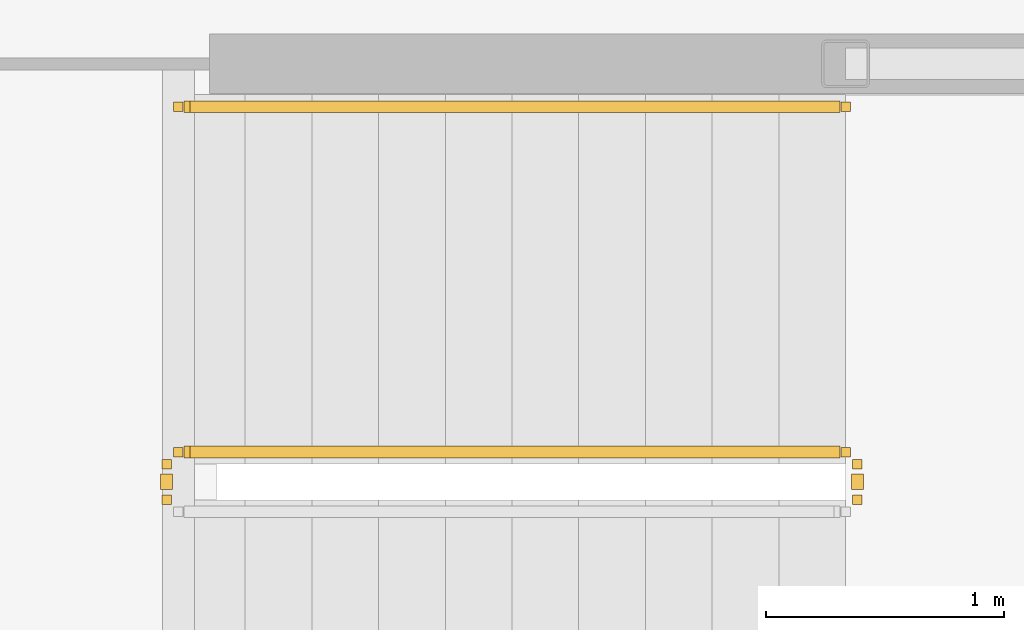
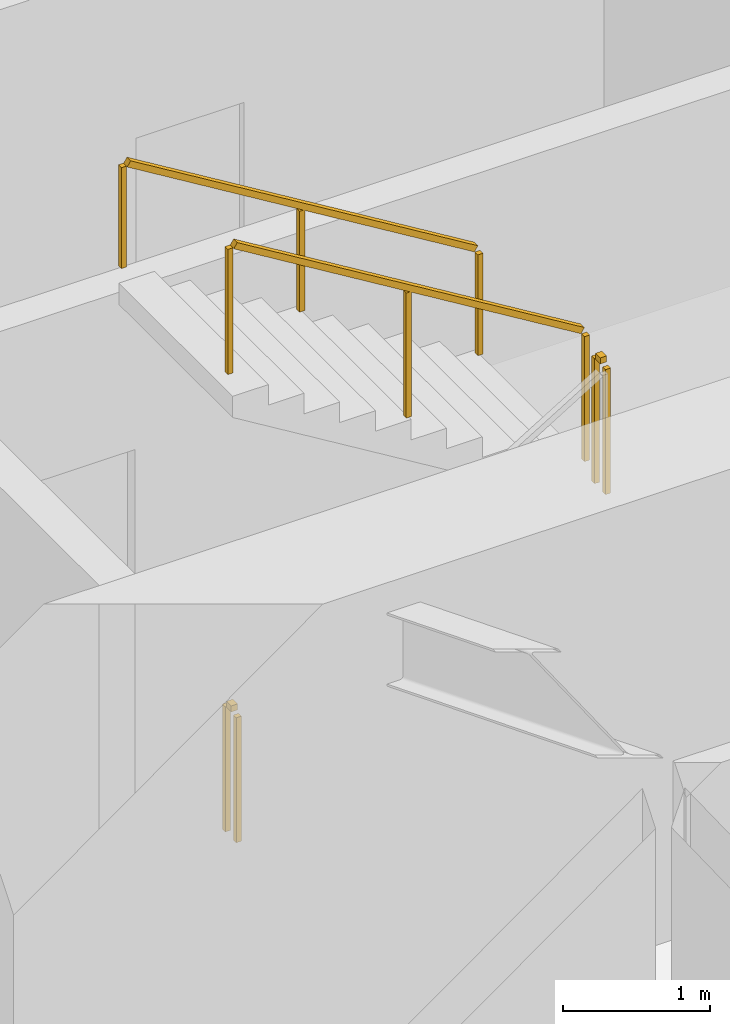
# One storey, part 28 of 31: 4 railings.
"""IFC4 building model written with IfcOpenShell, lengths in metres."""

from ifc_helpers import new_model, si_unit, direction, frame, origin, origin_2d, place, context, subcontext, project, spatial, rectangle, extrude, material, type_object, element, save


model = new_model("IFC4")

# Units and contexts
model_context = context("Model", 3, precision=1e-05, world=origin(), true_north=direction((0.0, 1.0)))
body_context = subcontext(model_context, "Body", "Model", "MODEL_VIEW")
ifc_project = project(units=[si_unit("LENGTHUNIT", "METRE"), si_unit("AREAUNIT", "SQUARE_METRE"), si_unit("VOLUMEUNIT", "CUBIC_METRE"), si_unit("PLANEANGLEUNIT", "RADIAN"), si_unit("MASSUNIT", "GRAM", prefix="KILO")], contexts=[model_context])

# Site, building, storey
site_placement = place(None, origin())
site = spatial("IfcSite", under=ifc_project, at=site_placement, CompositionType="ELEMENT")
building_placement = place(site_placement, origin())
building = spatial("IfcBuilding", under=site, at=building_placement, Name="Kazma Halo Residences", CompositionType="ELEMENT")
storey_placement = place(building_placement, frame((0.0, 0.0, 60.14990234375)))
storey = spatial("IfcBuildingStorey", under=building, at=storey_placement, Name="L14", CompositionType="ELEMENT", Elevation=60.14990234375)

# Railings
ifc_material_1 = material(Name="Painted Steel S355", Category="steel")
railing_type_1 = type_object("IfcRailingType", Name="RLG-STAIR-GRD-1100", PredefinedType="GUARDRAIL", material=ifc_material_1)
railing_1_placement = place(storey_placement, frame((56.050048828125, 35.550048828125, 1.875)))
element("IfcRailing", 1, at=railing_1_placement, inside=storey, type_object=railing_type_1, Name="L14 ST-03 stair guard 2", PredefinedType="GUARDRAIL", context=body_context, shape_type="SweptSolid", body=[
    extrude(rectangle(XDim=0.050048828125, YDim=0.050048828125, at=origin_2d()), frame((0.0, 0.04248046875, 1.0751953125), z_axis=(0.0, 1.0, 0.0), x_axis=(-1.0, 0.0, 0.0)), (0.0, 0.0, 1.0), 0.06494140625),
    extrude(rectangle(XDim=0.0400390625, YDim=0.0400390625, at=origin_2d()), origin(), (0.0, 0.0, 1.0), 1.0380859375),
    extrude(rectangle(XDim=0.0400390625, YDim=0.0400390625, at=origin_2d()), frame((0.0, 0.14990234375, 0.0)), (0.0, 0.0, 1.0), 1.0380859375),
])
railing_2_placement = place(storey_placement, frame((56.0, 35.75, 2.045654296875)))
element("IfcRailing", 2, at=railing_2_placement, inside=storey, type_object=railing_type_1, Name="L14 ST-03 stair guard 3", PredefinedType="GUARDRAIL", context=body_context, shape_type="SweptSolid", body=[
    extrude(rectangle(XDim=0.050048828125, YDim=0.050048828125, at=origin_2d()), frame((-0.036376953125, 0.0, 1.09716796875), z_axis=(-0.854202870247, 0.0, 0.519939858505), x_axis=(0.0, -1.0, 0.0)), (0.0, 0.0, 1.0), 3.19287109375),
    extrude(rectangle(XDim=0.0400390625, YDim=0.0400390625, at=origin_2d()), origin(), (0.0, 0.0, 1.0), 1.0380859375),
    extrude(rectangle(XDim=0.0400390625, YDim=0.0400390625, at=origin_2d()), frame((-1.39990234375, 0.0, 0.85205078125)), (0.0, 0.0, 1.0), 1.0380859375),
    extrude(rectangle(XDim=0.0400390625, YDim=0.0400390625, at=origin_2d()), frame((-2.800048828125, 0.0, 1.704345703125)), (0.0, 0.0, 1.0), 1.0380859375),
])
railing_3_placement = place(storey_placement, frame((53.14990234375, 35.550048828125, 0.0)))
element("IfcRailing", 3, at=railing_3_placement, inside=storey, type_object=railing_type_1, Name="L14 ST-03 stair guard 4", PredefinedType="GUARDRAIL", context=body_context, shape_type="SweptSolid", body=[
    extrude(rectangle(XDim=0.050048828125, YDim=0.050048828125, at=origin_2d()), frame((0.0, 0.04248046875, 1.0751953125), z_axis=(0.0, 1.0, 0.0), x_axis=(-1.0, 0.0, 0.0)), (0.0, 0.0, 1.0), 0.06494140625),
    extrude(rectangle(XDim=0.0400390625, YDim=0.0400390625, at=origin_2d()), origin(), (0.0, 0.0, 1.0), 1.0380859375),
    extrude(rectangle(XDim=0.0400390625, YDim=0.0400390625, at=origin_2d()), frame((0.0, 0.14990234375, 0.0)), (0.0, 0.0, 1.0), 1.0380859375),
])
ifc_material_2 = material(Name="Brushed Stainless Steel", Category="steel")
railing_type_2 = type_object("IfcRailingType", Name="RLG-STAIR-HND-900", PredefinedType="HANDRAIL", material=ifc_material_2)
railing_4_placement = place(storey_placement, frame((56.0, 37.199951171875, 2.045654296875)))
element("IfcRailing", 4, at=railing_4_placement, inside=storey, type_object=railing_type_2, Name="L14 ST-03 stair handrail 2", PredefinedType="HANDRAIL", context=body_context, shape_type="SweptSolid", body=[
    extrude(rectangle(XDim=0.050048828125, YDim=0.050048828125, at=origin_2d()), frame((-0.036376953125, 0.0, 0.89697265625), z_axis=(-0.854202870247, 0.0, 0.519939858505), x_axis=(0.0, -1.0, 0.0)), (0.0, 0.0, 1.0), 3.19287109375),
    extrude(rectangle(XDim=0.0400390625, YDim=0.0400390625, at=origin_2d()), origin(), (0.0, 0.0, 1.0), 0.837890625),
    extrude(rectangle(XDim=0.0400390625, YDim=0.0400390625, at=origin_2d()), frame((-1.39990234375, 0.0, 0.85205078125)), (0.0, 0.0, 1.0), 0.837890625),
    extrude(rectangle(XDim=0.0400390625, YDim=0.0400390625, at=origin_2d()), frame((-2.800048828125, 0.0, 1.704345703125)), (0.0, 0.0, 1.0), 0.837890625),
])

save(model, "model.ifc")
